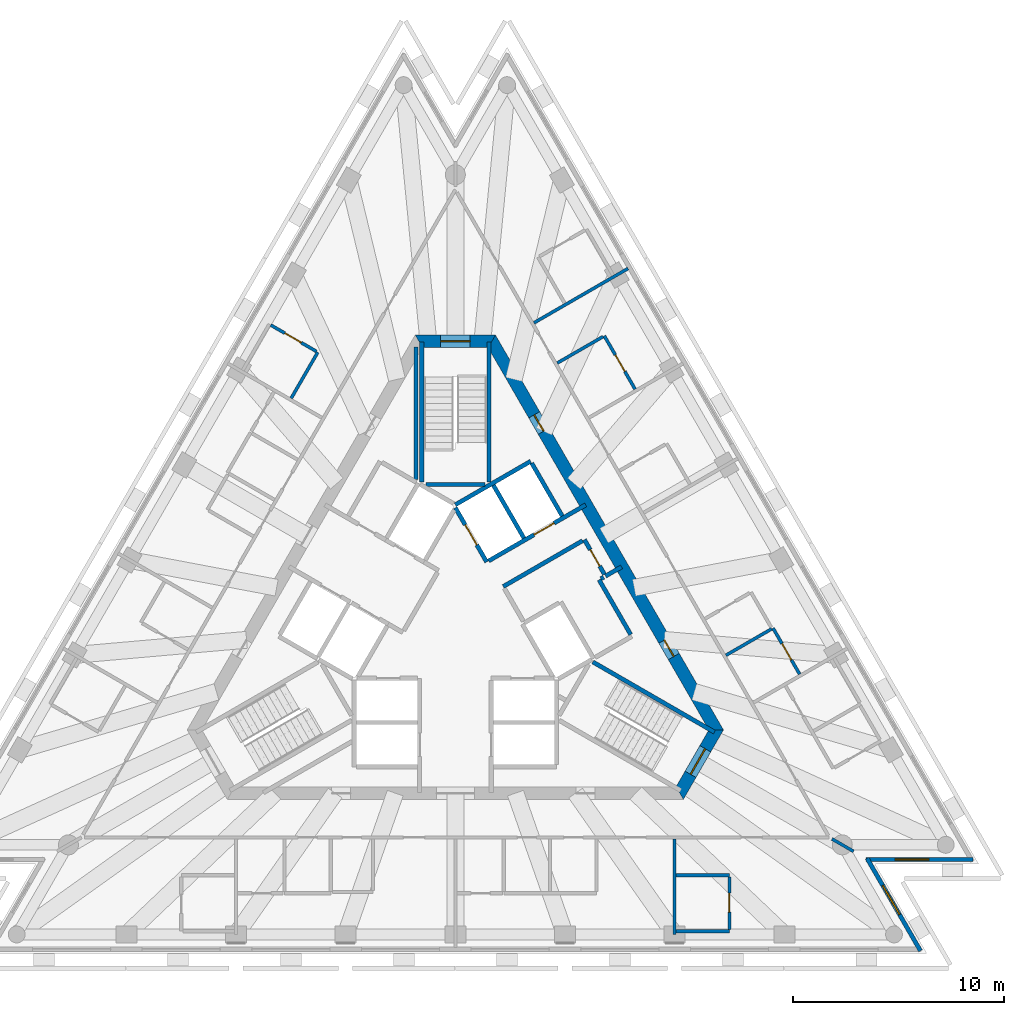
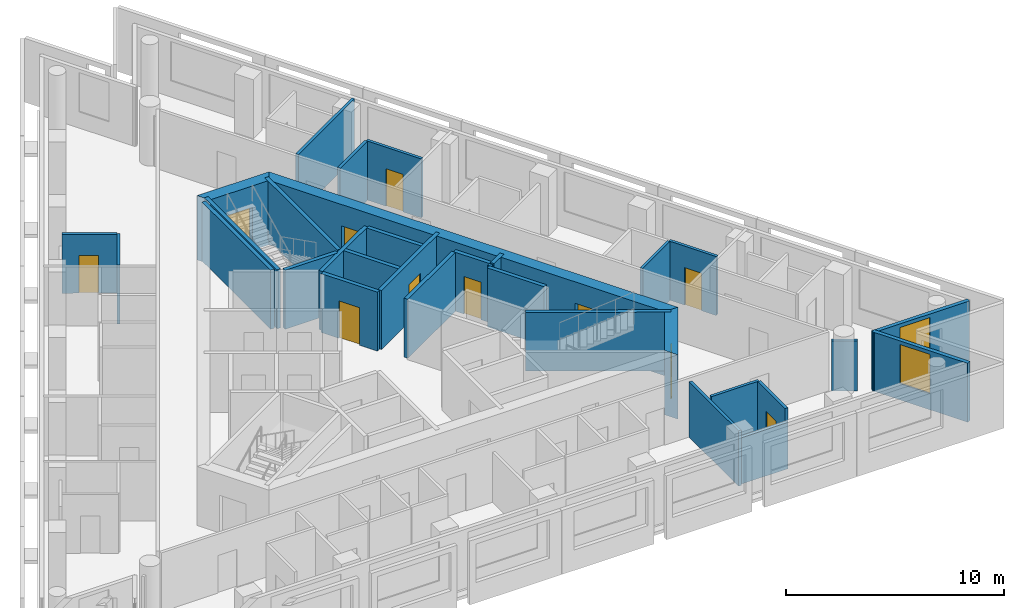
# One storey, part 6 of 10: 32 walls, 11 doors, 2 windows, 13 openings.
"""IFC4 building model written with IfcOpenShell, lengths in metres."""

from ifc_helpers import new_model, si_unit, direction, frame, frame_2d, origin, place, context, subcontext, project, spatial, polyline, rectangle, outline, extrude, material, layer, layer_set, layer_usage, type_object, element, fill, save


model = new_model("IFC4")

# Units and contexts
model_context = context("Model", 3, precision=1e-05, world=origin(), true_north=direction((0.0, 1.0)))
body_context = subcontext(model_context, "Body", "Model", "MODEL_VIEW")
ifc_project = project(units=[si_unit("LENGTHUNIT", "METRE"), si_unit("AREAUNIT", "SQUARE_METRE"), si_unit("VOLUMEUNIT", "CUBIC_METRE"), si_unit("PLANEANGLEUNIT", "RADIAN"), si_unit("MASSUNIT", "GRAM", prefix="KILO")], contexts=[model_context])

# Site, building, storey
site_placement = place(None, origin())
site = spatial("IfcSite", under=ifc_project, at=site_placement, CompositionType="ELEMENT")
building_placement = place(site_placement, origin())
building = spatial("IfcBuilding", under=site, at=building_placement, Name="Triada Interchange Tower", CompositionType="ELEMENT")
storey_placement = place(building_placement, frame((0.0, 0.0, 315.10009765625)))
storey = spatial("IfcBuildingStorey", under=building, at=storey_placement, Name="L75", CompositionType="ELEMENT", Elevation=315.10009765625)

# Wall
ifc_material_1 = material(Name="Concrete C30/37", Category="concrete")
ifc_layer_1 = layer(ifc_material_1, 0.199951171875)
ifc_layer_set_1 = layer_set([ifc_layer_1], Name="CORE WALL 200 EI 120")
wall_type_1 = type_object("IfcWallType", Name="CORE WALL 200 EI 120", PredefinedType="SOLIDWALL", material=ifc_layer_set_1)
wall_1_placement = place(storey_placement, frame((-0.001953125, 5.541015625, 0.0), z_axis=(0.0, 0.0, 1.0), x_axis=(0.86600155993, 0.500041296494, 0.0)))
element("IfcWall", 1, at=wall_1_placement, inside=storey, type_object=wall_type_1, Name="Wall L74 74", PredefinedType="SOLIDWALL", context=body_context, shape_type="SweptSolid", body=[
    extrude(rectangle(XDim=4.131591796875, YDim=0.199951171875, at=frame_2d((2.06591796875, 0.0))), origin(), (0.0, 0.0, 1.0), 3.2998046875),
])

# Wall, opening, door
wall_2_placement = place(storey_placement, frame((0.0, 5.39990234375, 0.0), z_axis=(0.0, 0.0, 1.0), x_axis=(0.500103862429, -0.865965430478, 0.0)))
wall_2 = element("IfcWall", 2, at=wall_2_placement, inside=storey, type_object=wall_type_1, Name="Wall L74 75", PredefinedType="SOLIDWALL", context=body_context, shape_type="SweptSolid", body=[
    extrude(rectangle(XDim=2.973388671875, YDim=0.199951171875, at=frame_2d((1.48681640625, 0.0))), origin(), (0.0, 0.0, 1.0), 3.2998046875),
])
opening_1_placement = place(wall_2_placement, frame((0.93701171875, 0.0, 0.0)))
opening_1 = element("IfcOpeningElement", 3, at=opening_1_placement, cuts=wall_2, Name="Opening LD-HR5", PredefinedType="OPENING", context=body_context, shape_type="SweptSolid", body=[
    extrude(rectangle(XDim=1.10009765625, YDim=2.10009765625, at=frame_2d((0.550048828125, 1.050048828125))), frame((0.0, 0.10986328125, 0.0), z_axis=(0.0, -1.0, 0.0), x_axis=(1.0, 0.0, 0.0)), (0.0, 0.0, 1.0), 0.219970703125),
])
ifc_material_2 = material(Name="Steel S235 door leaf", Category="steel")
door_type_1 = type_object("IfcDoorType", Name="LIFT LANDING DOOR 1100 EI 120", OperationType="SLIDING_TO_LEFT", PredefinedType="DOOR", material=ifc_material_2)
door_1_placement = place(opening_1_placement, origin())
door_1 = element("IfcDoor", 4, at=door_1_placement, inside=storey, type_object=door_type_1, Name="HR5 landing door L75", OperationType="SLIDING_TO_LEFT", OverallHeight=2.10009765625, OverallWidth=1.10009765625, PredefinedType="DOOR", context=body_context, shape_type="SweptSolid", body=[
    extrude(rectangle(XDim=1.10009765625, YDim=2.10009765625, at=frame_2d((0.550048828125, 1.050048828125))), frame((0.0, 0.02490234375, 0.0), z_axis=(0.0, -1.0, 0.0), x_axis=(1.0, 0.0, 0.0)), (0.0, 0.0, 1.0), 0.050048828125),
])
fill(opening_1, door_1)

wall_3_placement = place(storey_placement, frame((1.577880859375, 2.8740234375, 0.0), z_axis=(0.0, 0.0, 1.0), x_axis=(0.866045911672, 0.499964477614, 0.0)))
wall_3 = element("IfcWall", 5, at=wall_3_placement, inside=storey, type_object=wall_type_1, Name="Wall L74 77", PredefinedType="SOLIDWALL", context=body_context, shape_type="SweptSolid", body=[
    extrude(rectangle(XDim=5.32666015625, YDim=0.199951171875, at=frame_2d((2.663330078125, 0.0))), origin(), (0.0, 0.0, 1.0), 3.2998046875),
])
opening_2_placement = place(wall_3_placement, frame((2.49609375, 0.0, 0.0)))
opening_2 = element("IfcOpeningElement", 6, at=opening_2_placement, cuts=wall_3, Name="Opening LD-HR6", PredefinedType="OPENING", context=body_context, shape_type="SweptSolid", body=[
    extrude(rectangle(XDim=1.10009765625, YDim=2.10009765625, at=frame_2d((0.550048828125, 1.050048828125))), frame((0.0, 0.10986328125, 0.0), z_axis=(0.0, -1.0, 0.0), x_axis=(1.0, 0.0, 0.0)), (0.0, 0.0, 1.0), 0.219970703125),
])
door_2_placement = place(opening_2_placement, origin())
door_2 = element("IfcDoor", 7, at=door_2_placement, inside=storey, type_object=door_type_1, Name="HR6 landing door L75", OperationType="SLIDING_TO_LEFT", OverallHeight=2.10009765625, OverallWidth=1.10009765625, PredefinedType="DOOR", context=body_context, shape_type="SweptSolid", body=[
    extrude(rectangle(XDim=1.10009765625, YDim=2.10009765625, at=frame_2d((0.550048828125, 1.050048828125))), frame((0.0, 0.02490234375, 0.0), z_axis=(0.0, -1.0, 0.0), x_axis=(1.0, 0.0, 0.0)), (0.0, 0.0, 1.0), 0.050048828125),
])
fill(opening_2, door_2)

# Walls
for number, where, z_axis, x_axis, name in (
    (8, (3.6259765625, 7.52001953125, 0.0), (0.0, 0.0, 1.0), (0.500060147554, -0.865990674793, 0.0), "Wall L74 80"),
    (9, (1.806884765625, 6.469970703125, 0.0), (0.0, 0.0, 1.0), (0.50012328804, -0.865954211699, 0.0), "Wall L74 81"),
):
    element("IfcWall", number, at=place(storey_placement, frame(where, z_axis=z_axis, x_axis=x_axis)), inside=storey, type_object=wall_type_1, Name=name, PredefinedType="SOLIDWALL", context=body_context, shape_type="SweptSolid", body=[
        extrude(rectangle(XDim=2.899658203125, YDim=0.199951171875, at=frame_2d((1.44970703125, 0.0))), origin(), (0.0, 0.0, 1.0), 3.2998046875),
    ])
wall_4_placement = place(storey_placement, frame((7.12890625, 2.153076171875, 0.0), z_axis=(0.0, 0.0, 1.0), x_axis=(0.866083962871, 0.499898558967, 0.0)))
element("IfcWall", 10, at=wall_4_placement, inside=storey, type_object=wall_type_1, Name="Wall L74 84", PredefinedType="SOLIDWALL", context=body_context, shape_type="SweptSolid", body=[
    extrude(rectangle(XDim=0.880126953125, YDim=0.199951171875, at=frame_2d((0.43994140625, 0.0))), origin(), (0.0, 0.0, 1.0), 3.2998046875),
])

# Wall, opening, door
wall_5_placement = place(storey_placement, frame((6.12890625, 3.885009765625, 0.0), z_axis=(0.0, 0.0, 1.0), x_axis=(0.499952260202, -0.866052964615, 0.0)))
wall_5 = element("IfcWall", 11, at=wall_5_placement, inside=storey, type_object=wall_type_1, Name="Wall L74 85", PredefinedType="SOLIDWALL", context=body_context, shape_type="SweptSolid", body=[
    extrude(rectangle(XDim=1.900634765625, YDim=0.199951171875, at=frame_2d((0.9501953125, 0.0))), origin(), (0.0, 0.0, 1.0), 3.2998046875),
])
opening_3_placement = place(wall_5_placement, frame((0.550048828125, 0.0, 0.0)))
opening_3 = element("IfcOpeningElement", 12, at=opening_3_placement, cuts=wall_5, Name="Opening D74-56", PredefinedType="OPENING", context=body_context, shape_type="SweptSolid", body=[
    extrude(rectangle(XDim=0.89990234375, YDim=2.10009765625, at=frame_2d((0.449951171875, 1.050048828125))), frame((0.0, 0.10986328125, 0.0), z_axis=(0.0, -1.0, 0.0), x_axis=(1.0, 0.0, 0.0)), (0.0, 0.0, 1.0), 0.219970703125),
])
door_type_2 = type_object("IfcDoorType", Name="SERVICE DOOR 900 EI2 45-C5S200", OperationType="NOTDEFINED", PredefinedType="DOOR", material=ifc_material_2)
door_3_placement = place(opening_3_placement, origin())
door_3 = element("IfcDoor", 13, at=door_3_placement, inside=storey, type_object=door_type_2, Name="Door D74-56 L75", OperationType="SINGLE_SWING_LEFT", OverallHeight=2.10009765625, OverallWidth=0.89990234375, PredefinedType="DOOR", context=body_context, shape_type="SweptSolid", body=[
    extrude(rectangle(XDim=0.89990234375, YDim=2.10009765625, at=frame_2d((0.449951171875, 1.050048828125))), frame((0.0, 0.02490234375, 0.0), z_axis=(0.0, -1.0, 0.0), x_axis=(1.0, 0.0, 0.0)), (0.0, 0.0, 1.0), 0.050048828125),
])
fill(opening_3, door_3)

# Walls
wall_6_placement = place(storey_placement, frame((2.27490234375, 1.659912109375, 0.0), z_axis=(0.0, 0.0, 1.0), x_axis=(0.866013608182, 0.500020430026, 0.0)))
element("IfcWall", 14, at=wall_6_placement, inside=storey, type_object=wall_type_1, Name="Wall L74 86", PredefinedType="SOLIDWALL", context=body_context, shape_type="SweptSolid", body=[
    extrude(rectangle(XDim=4.349853515625, YDim=0.199951171875, at=frame_2d((2.1748046875, 0.0))), origin(), (0.0, 0.0, 1.0), 3.2998046875),
])
ifc_layer_2 = layer(ifc_material_1, 0.199951171875)
ifc_layer_set_2 = layer_set([ifc_layer_2], Name="CORE WALL 200 EI 90")
wall_type_2 = type_object("IfcWallType", Name="CORE WALL 200 EI 90", PredefinedType="SOLIDWALL", material=ifc_layer_set_2)
wall_7_placement = place(storey_placement, frame((-1.862060546875, 6.73291015625, 0.0), z_axis=(0.0, 0.0, 1.0), x_axis=(0.0, 1.0, 0.0)))
element("IfcWall", 15, at=wall_7_placement, inside=storey, type_object=wall_type_2, Name="Wall L74 105", PredefinedType="SOLIDWALL", context=body_context, shape_type="SweptSolid", body=[
    extrude(rectangle(XDim=6.301025390625, YDim=0.199951171875, at=frame_2d((3.150390625, 0.0))), origin(), (0.0, 0.0, 1.0), 3.2998046875),
])
wall_8_placement = place(storey_placement, frame((6.825927734375, 1.97802734375, 0.0), z_axis=(0.0, 0.0, 1.0), x_axis=(0.499990139034, -0.866031096941, 0.0)))
element("IfcWall", 16, at=wall_8_placement, inside=storey, type_object=wall_type_2, Name="Wall L74 108", PredefinedType="SOLIDWALL", context=body_context, shape_type="SweptSolid", body=[
    extrude(rectangle(XDim=3.0, YDim=0.199951171875, at=frame_2d((1.5, 0.0))), origin(), (0.0, 0.0, 1.0), 3.2998046875),
])
wall_9_placement = place(storey_placement, frame((6.912109375, 2.028076171875, 0.0), z_axis=(0.0, 0.0, 1.0), x_axis=(0.866559367082, 0.499074005857, 0.0)))
element("IfcWall", 17, at=wall_9_placement, inside=storey, type_object=wall_type_2, Name="Wall L74 109", PredefinedType="SOLIDWALL", context=body_context, shape_type="SweptSolid", body=[
    extrude(rectangle(XDim=0.152099609375, YDim=0.199951171875, at=frame_2d((0.076171875, 0.0))), origin(), (0.0, 0.0, 1.0), 3.2998046875),
])
ifc_layer_3 = layer(ifc_material_1, 0.199951171875)
ifc_layer_set_3 = layer_set([ifc_layer_3], Name="CORE WALL 200 REI 240")
wall_type_3 = type_object("IfcWallType", Name="CORE WALL 200 REI 240", PredefinedType="SOLIDWALL", material=ifc_layer_set_3)
wall_10_placement = place(storey_placement, frame((1.60009765625, 6.614990234375, 0.0), z_axis=(0.0, 0.0, 1.0), x_axis=(0.0, 1.0, 0.0)))
element("IfcWall", 18, at=wall_10_placement, inside=storey, type_object=wall_type_3, Name="Wall L74 113", PredefinedType="SOLIDWALL", context=body_context, shape_type="SweptSolid", body=[
    extrude(rectangle(XDim=6.6650390625, YDim=0.199951171875, at=frame_2d((3.33251953125, 0.0))), origin(), (0.0, 0.0, 1.0), 3.2998046875),
])
wall_11_placement = place(storey_placement, frame((-1.39990234375, 6.5, 0.0), z_axis=(0.0, 0.0, 1.0), x_axis=(1.0, 0.0, 0.0)))
element("IfcWall", 19, at=wall_11_placement, inside=storey, type_object=wall_type_3, Name="Wall L74 114", PredefinedType="SOLIDWALL", context=body_context, shape_type="SweptSolid", body=[
    extrude(rectangle(XDim=2.7998046875, YDim=0.199951171875, at=frame_2d((1.39990234375, 0.0))), origin(), (0.0, 0.0, 1.0), 3.2998046875),
])
wall_12_placement = place(storey_placement, frame((-1.60009765625, 6.614990234375, 0.0), z_axis=(0.0, 0.0, 1.0), x_axis=(0.0, 1.0, 0.0)))
element("IfcWall", 20, at=wall_12_placement, inside=storey, type_object=wall_type_3, Name="Wall L74 115", PredefinedType="SOLIDWALL", context=body_context, shape_type="SweptSolid", body=[
    extrude(rectangle(XDim=6.6650390625, YDim=0.199951171875, at=frame_2d((3.33251953125, 0.0))), origin(), (0.0, 0.0, 1.0), 3.2998046875),
])
wall_13_placement = place(storey_placement, frame((6.529052734375, -1.922119140625, 0.0), z_axis=(0.0, 0.0, 1.0), x_axis=(0.866068467981, -0.499925403204, 0.0)))
element("IfcWall", 21, at=wall_13_placement, inside=storey, type_object=wall_type_3, Name="Wall L74 117", PredefinedType="SOLIDWALL", context=body_context, shape_type="SweptSolid", body=[
    extrude(rectangle(XDim=6.66455078125, YDim=0.199951171875, at=frame_2d((3.332275390625, 0.0))), origin(), (0.0, 0.0, 1.0), 3.2998046875),
])

# Wall, opening, door
ifc_material_3 = material(Name="Concrete C40/50", Category="concrete")
ifc_layer_4 = layer(ifc_material_3, 0.60009765625)
ifc_layer_set_4 = layer_set([ifc_layer_4], Name="Core wall D 600")
wall_type_4 = type_object("IfcWallType", Name="Core wall D 600", PredefinedType="SHEAR", material=ifc_layer_set_4)
wall_14_placement = place(storey_placement, frame((1.73193359375, 13.300048828125, -0.300048828125), z_axis=(0.0, 0.0, 1.0), x_axis=(-1.0, 0.0, 0.0)))
wall_14 = element("IfcWall", 22, at=wall_14_placement, inside=storey, type_object=wall_type_4, Name="Core wall WD01 L75", PredefinedType="SHEAR", context=body_context, shape_type="SweptSolid", body=[
    extrude(outline(polyline([(-0.173095703125, -0.300048828125), (1.73193359375, -0.300048828125), (3.636962890625, -0.300048828125), (3.291015625, 0.300048828125), (1.73193359375, 0.300048828125), (0.173095703125, 0.300048828125), (-0.173095703125, -0.300048828125)])), origin(), (0.0, 0.0, 1.0), 3.599853515625),
])
opening_4_placement = place(wall_14_placement, frame((1.031982421875, 0.0, 0.300048828125)))
opening_4 = element("IfcOpeningElement", 23, at=opening_4_placement, cuts=wall_14, Name="Opening D74-46", PredefinedType="OPENING", context=body_context, shape_type="SweptSolid", body=[
    extrude(rectangle(XDim=1.39990234375, YDim=2.10009765625, at=frame_2d((0.699951171875, 1.050048828125))), frame((0.0, 0.31005859375, 0.0), z_axis=(0.0, -1.0, 0.0), x_axis=(1.0, 0.0, 0.0)), (0.0, 0.0, 1.0), 0.6201171875),
])
door_type_3 = type_object("IfcDoorType", Name="STAIR DOOR 1400 EI2 90-C5S200", OperationType="DOUBLE_DOOR_SINGLE_SWING", PredefinedType="DOOR", material=ifc_material_2)
door_4_placement = place(opening_4_placement, origin())
door_4 = element("IfcDoor", 24, at=door_4_placement, inside=storey, type_object=door_type_3, Name="Door D74-46 L75", OperationType="DOUBLE_DOOR_SINGLE_SWING", OverallHeight=2.10009765625, OverallWidth=1.39990234375, PredefinedType="DOOR", context=body_context, shape_type="SweptSolid", body=[
    extrude(rectangle(XDim=1.39990234375, YDim=2.10009765625, at=frame_2d((0.699951171875, 1.050048828125))), frame((0.0, 0.02490234375, 0.0), z_axis=(0.0, -1.0, 0.0), x_axis=(1.0, 0.0, 0.0)), (0.0, 0.0, 1.0), 0.050048828125),
])
fill(opening_4, door_4)

wall_15_placement = place(storey_placement, frame((10.652099609375, -8.14990234375, -0.300048828125), z_axis=(0.0, 0.0, 1.0), x_axis=(0.49997462182, 0.866040055388, 0.0)))
wall_15 = element("IfcWall", 25, at=wall_15_placement, inside=storey, type_object=wall_type_4, Name="Core wall WD05 L75", PredefinedType="SHEAR", context=body_context, shape_type="SweptSolid", body=[
    extrude(outline(polyline([(-0.173095703125, -0.300048828125), (1.732421875, -0.300537109375), (3.637939453125, -0.301025390625), (3.291015625, 0.300048828125), (1.73193359375, 0.300048828125), (0.173095703125, 0.300048828125), (-0.173095703125, -0.300048828125)])), origin(), (0.0, 0.0, 1.0), 3.599853515625),
])
opening_5_placement = place(wall_15_placement, frame((1.031982421875, 0.0, 0.300048828125)))
opening_5 = element("IfcOpeningElement", 26, at=opening_5_placement, cuts=wall_15, Name="Opening D74-48", PredefinedType="OPENING", context=body_context, shape_type="SweptSolid", body=[
    extrude(rectangle(XDim=1.39990234375, YDim=2.10009765625, at=frame_2d((0.699951171875, 1.050048828125))), frame((0.0, 0.31005859375, 0.0), z_axis=(0.0, -1.0, 0.0), x_axis=(1.0, 0.0, 0.0)), (0.0, 0.0, 1.0), 0.62109375),
])
door_5_placement = place(opening_5_placement, origin())
door_5 = element("IfcDoor", 27, at=door_5_placement, inside=storey, type_object=door_type_3, Name="Door D74-48 L75", OperationType="DOUBLE_DOOR_SINGLE_SWING", OverallHeight=2.10009765625, OverallWidth=1.39990234375, PredefinedType="DOOR", context=body_context, shape_type="SweptSolid", body=[
    extrude(rectangle(XDim=1.39990234375, YDim=2.10009765625, at=frame_2d((0.699951171875, 1.050048828125))), frame((0.0, 0.02490234375, 0.0), z_axis=(0.0, -1.0, 0.0), x_axis=(1.0, 0.0, 0.0)), (0.0, 0.0, 1.0), 0.050048828125),
])
fill(opening_5, door_5)

# Wall, openings, doors
wall_16_placement = place(storey_placement, frame((12.384033203125, -5.14990234375, -0.300048828125), z_axis=(0.0, 0.0, 1.0), x_axis=(-0.500000539815, 0.866025092122, 0.0)))
wall_16 = element("IfcWall", 28, at=wall_16_placement, inside=storey, type_object=wall_type_4, Name="Core wall WD06 L75", PredefinedType="SHEAR", context=body_context, shape_type="SweptSolid", body=[
    extrude(outline(polyline([(-0.173095703125, -0.301025390625), (1.795166015625, -0.301025390625), (3.76318359375, -0.30078125), (5.7314453125, -0.30078125), (7.69970703125, -0.30078125), (9.66796875, -0.300537109375), (11.635986328125, -0.300537109375), (13.604248046875, -0.30029296875), (15.572509765625, -0.30029296875), (17.540771484375, -0.30029296875), (19.5087890625, -0.300048828125), (21.47705078125, -0.300048828125), (21.131103515625, 0.300048828125), (19.225830078125, 0.300048828125), (17.320556640625, 0.300048828125), (15.415283203125, 0.300048828125), (13.510009765625, 0.300048828125), (11.604736328125, 0.300048828125), (9.699462890625, 0.300048828125), (7.794189453125, 0.300048828125), (5.888916015625, 0.300048828125), (3.983642578125, 0.300048828125), (2.078369140625, 0.300048828125), (0.173095703125, 0.300048828125), (-0.173095703125, -0.301025390625)])), origin(), (0.0, 0.0, 1.0), 3.599853515625),
])
opening_6_placement = place(wall_16_placement, frame((16.3779296875, 0.0, 0.300048828125)))
opening_6 = element("IfcOpeningElement", 29, at=opening_6_placement, cuts=wall_16, Name="Opening D74-53", PredefinedType="OPENING", context=body_context, shape_type="SweptSolid", body=[
    extrude(rectangle(XDim=0.89990234375, YDim=2.10009765625, at=frame_2d((0.449951171875, 1.050048828125))), frame((0.0, 0.31005859375, 0.0), z_axis=(0.0, -1.0, 0.0), x_axis=(1.0, 0.0, 0.0)), (0.0, 0.0, 1.0), 0.62109375),
])
opening_7_placement = place(wall_16_placement, frame((4.02587890625, 0.0, 0.300048828125)))
opening_7 = element("IfcOpeningElement", 30, at=opening_7_placement, cuts=wall_16, Name="Opening D74-55", PredefinedType="OPENING", context=body_context, shape_type="SweptSolid", body=[
    extrude(rectangle(XDim=0.89990234375, YDim=2.10009765625, at=frame_2d((0.449951171875, 1.050048828125))), frame((0.0, 0.31005859375, 0.0), z_axis=(0.0, -1.0, 0.0), x_axis=(1.0, 0.0, 0.0)), (0.0, 0.0, 1.0), 0.62109375),
])
door_6_placement = place(opening_6_placement, origin())
door_6 = element("IfcDoor", 31, at=door_6_placement, inside=storey, type_object=door_type_2, Name="Door D74-53 L75", OperationType="SINGLE_SWING_RIGHT", OverallHeight=2.10009765625, OverallWidth=0.89990234375, PredefinedType="DOOR", context=body_context, shape_type="SweptSolid", body=[
    extrude(rectangle(XDim=0.89990234375, YDim=2.10009765625, at=frame_2d((0.449951171875, 1.050048828125))), frame((0.0, 0.02490234375, 0.0), z_axis=(0.0, -1.0, 0.0), x_axis=(1.0, 0.0, 0.0)), (0.0, 0.0, 1.0), 0.050048828125),
])
fill(opening_6, door_6)
door_7_placement = place(opening_7_placement, origin())
door_7 = element("IfcDoor", 32, at=door_7_placement, inside=storey, type_object=door_type_2, Name="Door D74-55 L75", OperationType="SINGLE_SWING_RIGHT", OverallHeight=2.10009765625, OverallWidth=0.89990234375, PredefinedType="DOOR", context=body_context, shape_type="SweptSolid", body=[
    extrude(rectangle(XDim=0.89990234375, YDim=2.10009765625, at=frame_2d((0.449951171875, 1.050048828125))), frame((0.0, 0.02490234375, 0.0), z_axis=(0.0, -1.0, 0.0), x_axis=(1.0, 0.0, 0.0)), (0.0, 0.0, 1.0), 0.050048828125),
])
fill(opening_7, door_7)

# Wall, opening, window
ifc_material_4 = material(Name="Cement board")
ifc_layer_5 = layer(ifc_material_4, 0.02001953125, Name="Cement board cladding")
ifc_material_5 = material(Name="Sheathing board")
ifc_layer_6 = layer(ifc_material_5, 0.014892578125, Name="Sheathing board")
ifc_material_6 = material(Name="Mineral wool")
ifc_layer_7 = layer(ifc_material_6, 0.14990234375, Name="Mineral wool between steel studs")
ifc_material_7 = material(Name="Gypsum board")
ifc_layer_8 = layer(ifc_material_7, 0.014892578125, Name="Plasterboard lining")
ifc_layer_set_5 = layer_set([ifc_layer_5, ifc_layer_6, ifc_layer_7, ifc_layer_8], Name="External wall 200")
ifc_layer_usage = layer_usage(ifc_layer_set_5, "AXIS2", "POSITIVE", -0.10009765625)
wall_type_5 = type_object("IfcWallType", Name="External wall 200", PredefinedType="ELEMENTEDWALL", material=ifc_layer_set_5)
wall_17_placement = place(storey_placement, frame((22.0869140625, -15.64111328125, 0.0), z_axis=(0.0, 0.0, 1.0), x_axis=(-0.499911250765, 0.866076637116, 0.0)))
wall_17 = element("IfcWall", 33, at=wall_17_placement, inside=storey, type_object=wall_type_5, material=ifc_layer_usage, Name="External wall L75 SE-1", PredefinedType="ELEMENTEDWALL", context=body_context, shape_type="SweptSolid", body=[
    extrude(rectangle(XDim=5.07470703125, YDim=0.199951171875, at=frame_2d((2.537353515625, 0.0))), origin(), (0.0, 0.0, 1.0), 3.2998046875),
])
opening_8_placement = place(wall_17_placement, frame((1.989990234375, 0.0, 0.89990234375)))
opening_8 = element("IfcOpeningElement", 34, at=opening_8_placement, cuts=wall_17, Name="Opening WD19", PredefinedType="OPENING", context=body_context, shape_type="SweptSolid", body=[
    extrude(rectangle(XDim=1.60009765625, YDim=2.199951171875, at=frame_2d((0.800048828125, 1.10009765625))), frame((0.0, 0.10986328125, 0.0), z_axis=(0.0, -1.0, 0.0), x_axis=(1.0, 0.0, 0.0)), (0.0, 0.0, 1.0), 0.219970703125),
])
ifc_material_8 = material(Name="Double glazed aluminium window", Category="aluminium")
window_type = type_object("IfcWindowType", Name="Ribbon window D pocket", PartitioningType="SINGLE_PANEL", PredefinedType="WINDOW", material=ifc_material_8)
window_1_placement = place(opening_8_placement, origin())
window_1 = element("IfcWindow", 35, at=window_1_placement, inside=storey, type_object=window_type, Name="Window L75 SE-1 1", OverallHeight=2.199951171875, OverallWidth=1.60009765625, PartitioningType="SINGLE_PANEL", PredefinedType="WINDOW", context=body_context, shape_type="SweptSolid", body=[
    extrude(rectangle(XDim=1.60009765625, YDim=2.199951171875, at=frame_2d((0.800048828125, 1.10009765625))), frame((0.0, 0.030029296875, 0.0), z_axis=(0.0, -1.0, 0.0), x_axis=(1.0, 0.0, 0.0)), (0.0, 0.0, 1.0), 0.06005859375),
])
fill(opening_8, window_1)

wall_18_placement = place(storey_placement, frame((19.4951171875, -11.306884765625, 0.0), z_axis=(0.0, 0.0, 1.0), x_axis=(1.0, 0.0, 0.0)))
wall_18 = element("IfcWall", 36, at=wall_18_placement, inside=storey, type_object=wall_type_5, material=ifc_layer_usage, Name="External wall L75 SE-2", PredefinedType="ELEMENTEDWALL", context=body_context, shape_type="SweptSolid", body=[
    extrude(rectangle(XDim=5.073974609375, YDim=0.199951171875, at=frame_2d((2.537109375, 0.0))), origin(), (0.0, 0.0, 1.0), 3.2998046875),
])
opening_9_placement = place(wall_18_placement, frame((1.389892578125, 0.0, 0.89990234375)))
opening_9 = element("IfcOpeningElement", 37, at=opening_9_placement, cuts=wall_18, Name="Opening WD20", PredefinedType="OPENING", context=body_context, shape_type="SweptSolid", body=[
    extrude(rectangle(XDim=1.60009765625, YDim=2.199951171875, at=frame_2d((0.800048828125, 1.10009765625))), frame((0.0, 0.10986328125, 0.0), z_axis=(0.0, -1.0, 0.0), x_axis=(1.0, 0.0, 0.0)), (0.0, 0.0, 1.0), 0.219970703125),
])
window_2_placement = place(opening_9_placement, origin())
window_2 = element("IfcWindow", 38, at=window_2_placement, inside=storey, type_object=window_type, Name="Window L75 SE-2 1", OverallHeight=2.199951171875, OverallWidth=1.60009765625, PartitioningType="SINGLE_PANEL", PredefinedType="WINDOW", context=body_context, shape_type="SweptSolid", body=[
    extrude(rectangle(XDim=1.60009765625, YDim=2.199951171875, at=frame_2d((0.800048828125, 1.10009765625))), frame((0.0, 0.030029296875, 0.0), z_axis=(0.0, -1.0, 0.0), x_axis=(1.0, 0.0, 0.0)), (0.0, 0.0, 1.0), 0.06005859375),
])
fill(opening_9, window_2)

# Walls
ifc_material_9 = material(Name="Gypsum board partition")
ifc_layer_9 = layer(ifc_material_9, 0.14990234375)
ifc_layer_set_6 = layer_set([ifc_layer_9], Name="PARTITION 150 EI 180")
wall_type_6 = type_object("IfcWallType", Name="PARTITION 150 EI 180", PredefinedType="PARTITIONING", material=ifc_layer_set_6)
wall_19_placement = place(storey_placement, frame((3.73388671875, 14.181884765625, 0.0), z_axis=(0.0, 0.0, 1.0), x_axis=(0.866020851292, 0.500007885066, 0.0)))
element("IfcWall", 39, at=wall_19_placement, inside=storey, type_object=wall_type_6, Name="Wall L74 24", PredefinedType="PARTITIONING", context=body_context, shape_type="SweptSolid", body=[
    extrude(rectangle(XDim=5.158203125, YDim=0.14990234375, at=frame_2d((2.5791015625, 0.0))), origin(), (0.0, 0.0, 1.0), 3.2998046875),
])
wall_20_placement = place(storey_placement, frame((10.4140625, -14.85791015625, 0.0), z_axis=(0.0, 0.0, 1.0), x_axis=(0.0, 1.0, 0.0)))
element("IfcWall", 40, at=wall_20_placement, inside=storey, type_object=wall_type_6, Name="Wall L74 28", PredefinedType="PARTITIONING", context=body_context, shape_type="SweptSolid", body=[
    extrude(rectangle(XDim=4.532958984375, YDim=0.14990234375, at=frame_2d((2.2666015625, 0.0))), origin(), (0.0, 0.0, 1.0), 3.099853515625),
])
wall_21_placement = place(storey_placement, frame((17.883056640625, -10.323974609375, 0.0), z_axis=(0.0, 0.0, 1.0), x_axis=(0.865759938798, -0.500459517216, 0.0)))
element("IfcWall", 41, at=wall_21_placement, inside=storey, type_object=wall_type_6, Name="Wall L74 30", PredefinedType="PARTITIONING", context=body_context, shape_type="SweptSolid", body=[
    extrude(rectangle(XDim=1.18505859375, YDim=0.14990234375, at=frame_2d((0.592529296875, 0.0))), origin(), (0.0, 0.0, 1.0), 2.7998046875),
])
ifc_layer_10 = layer(ifc_material_9, 0.14990234375)
ifc_layer_set_7 = layer_set([ifc_layer_10], Name="PARTITION 150 EI 90")
wall_type_7 = type_object("IfcWallType", Name="PARTITION 150 EI 90", PredefinedType="PARTITIONING", material=ifc_layer_set_7)
wall_22_placement = place(storey_placement, frame((-7.794921875, 10.60009765625, 0.0), z_axis=(0.0, 0.0, 1.0), x_axis=(0.50028887667, 0.865858556509, 0.0)))
element("IfcWall", 42, at=wall_22_placement, inside=storey, type_object=wall_type_7, Name="Wall L74 35", PredefinedType="PARTITIONING", context=body_context, shape_type="SweptSolid", body=[
    extrude(rectangle(XDim=2.5244140625, YDim=0.14990234375, at=frame_2d((1.26220703125, 0.0))), origin(), (0.0, 0.0, 1.0), 3.2998046875),
])
wall_23_placement = place(storey_placement, frame((10.489013671875, -12.050048828125, 0.0), z_axis=(0.0, 0.0, 1.0), x_axis=(1.0, 0.0, 0.0)))
element("IfcWall", 43, at=wall_23_placement, inside=storey, type_object=wall_type_7, Name="Wall L74 40", PredefinedType="PARTITIONING", context=body_context, shape_type="SweptSolid", body=[
    extrude(rectangle(XDim=2.52490234375, YDim=0.14990234375, at=frame_2d((1.262451171875, 0.0))), origin(), (0.0, 0.0, 1.0), 3.2998046875),
])
wall_24_placement = place(storey_placement, frame((10.489013671875, -14.7060546875, 0.0), z_axis=(0.0, 0.0, 1.0), x_axis=(1.0, 0.0, 0.0)))
element("IfcWall", 44, at=wall_24_placement, inside=storey, type_object=wall_type_7, Name="Wall L74 43", PredefinedType="PARTITIONING", context=body_context, shape_type="SweptSolid", body=[
    extrude(rectangle(XDim=2.52490234375, YDim=0.14990234375, at=frame_2d((1.262451171875, 0.0))), origin(), (0.0, 0.0, 1.0), 2.599853515625),
])

# Wall, opening, door
wall_25_placement = place(storey_placement, frame((-8.76806640625, 14.076904296875, 0.0), z_axis=(0.0, 0.0, 1.0), x_axis=(0.866125586781, -0.4998264378, 0.0)))
wall_25 = element("IfcWall", 45, at=wall_25_placement, inside=storey, type_object=wall_type_7, Name="Wall L74 46", PredefinedType="PARTITIONING", context=body_context, shape_type="SweptSolid", body=[
    extrude(rectangle(XDim=2.5068359375, YDim=0.14990234375, at=frame_2d((1.25341796875, 0.0))), origin(), (0.0, 0.0, 1.0), 3.2998046875),
])
opening_10_placement = place(wall_25_placement, frame((0.77490234375, 0.0, 0.0)))
opening_10 = element("IfcOpeningElement", 46, at=opening_10_placement, cuts=wall_25, Name="Opening D74-36", PredefinedType="OPENING", context=body_context, shape_type="SweptSolid", body=[
    extrude(rectangle(XDim=0.89990234375, YDim=2.10009765625, at=frame_2d((0.449951171875, 1.050048828125))), frame((0.0, 0.0849609375, 0.0), z_axis=(0.0, -1.0, 0.0), x_axis=(1.0, 0.0, 0.0)), (0.0, 0.0, 1.0), 0.169921875),
])
door_type_4 = type_object("IfcDoorType", Name="ROOM DOOR 900 EI2 45-C5S200", OperationType="NOTDEFINED", PredefinedType="DOOR", material=ifc_material_2)
door_8_placement = place(opening_10_placement, origin())
door_8 = element("IfcDoor", 47, at=door_8_placement, inside=storey, type_object=door_type_4, Name="Door D74-36 L75", OperationType="SINGLE_SWING_RIGHT", OverallHeight=2.10009765625, OverallWidth=0.89990234375, PredefinedType="DOOR", context=body_context, shape_type="SweptSolid", body=[
    extrude(rectangle(XDim=0.89990234375, YDim=2.10009765625, at=frame_2d((0.449951171875, 1.050048828125))), frame((0.0, 0.02490234375, 0.0), z_axis=(0.0, -1.0, 0.0), x_axis=(1.0, 0.0, 0.0)), (0.0, 0.0, 1.0), 0.050048828125),
])
fill(opening_10, door_8)

wall_26_placement = place(storey_placement, frame((7.073974609375, 13.56103515625, 0.0), z_axis=(0.0, 0.0, 1.0), x_axis=(0.499874209568, -0.866098016745, 0.0)))
wall_26 = element("IfcWall", 48, at=wall_26_placement, inside=storey, type_object=wall_type_7, Name="Wall L74 47", PredefinedType="PARTITIONING", context=body_context, shape_type="SweptSolid", body=[
    extrude(rectangle(XDim=2.924560546875, YDim=0.14990234375, at=frame_2d((1.46240234375, 0.0))), origin(), (0.0, 0.0, 1.0), 3.2998046875),
])
opening_11_placement = place(wall_26_placement, frame((1.050048828125, 0.0, 0.0)))
opening_11 = element("IfcOpeningElement", 49, at=opening_11_placement, cuts=wall_26, Name="Opening D74-32", PredefinedType="OPENING", context=body_context, shape_type="SweptSolid", body=[
    extrude(rectangle(XDim=0.89990234375, YDim=2.10009765625, at=frame_2d((0.449951171875, 1.050048828125))), frame((0.0, 0.0849609375, 0.0), z_axis=(0.0, -1.0, 0.0), x_axis=(1.0, 0.0, 0.0)), (0.0, 0.0, 1.0), 0.169921875),
])
door_9_placement = place(opening_11_placement, origin())
door_9 = element("IfcDoor", 50, at=door_9_placement, inside=storey, type_object=door_type_4, Name="Door D74-32 L75", OperationType="SINGLE_SWING_LEFT", OverallHeight=2.10009765625, OverallWidth=0.89990234375, PredefinedType="DOOR", context=body_context, shape_type="SweptSolid", body=[
    extrude(rectangle(XDim=0.89990234375, YDim=2.10009765625, at=frame_2d((0.449951171875, 1.050048828125))), frame((0.0, 0.02490234375, 0.0), z_axis=(0.0, -1.0, 0.0), x_axis=(1.0, 0.0, 0.0)), (0.0, 0.0, 1.0), 0.050048828125),
])
fill(opening_11, door_9)

wall_27_placement = place(storey_placement, frame((15.0849609375, -0.31494140625, 0.0), z_axis=(0.0, 0.0, 1.0), x_axis=(0.499956887143, -0.866050293573, 0.0)))
wall_27 = element("IfcWall", 51, at=wall_27_placement, inside=storey, type_object=wall_type_7, Name="Wall L74 49", PredefinedType="PARTITIONING", context=body_context, shape_type="SweptSolid", body=[
    extrude(rectangle(XDim=2.524169921875, YDim=0.14990234375, at=frame_2d((1.26220703125, 0.0))), origin(), (0.0, 0.0, 1.0), 3.2998046875),
])
opening_12_placement = place(wall_27_placement, frame((0.84912109375, 0.0, 0.0)))
opening_12 = element("IfcOpeningElement", 52, at=opening_12_placement, cuts=wall_27, Name="Opening D74-27", PredefinedType="OPENING", context=body_context, shape_type="SweptSolid", body=[
    extrude(rectangle(XDim=0.89990234375, YDim=2.10009765625, at=frame_2d((0.449951171875, 1.050048828125))), frame((0.0, 0.0849609375, 0.0), z_axis=(0.0, -1.0, 0.0), x_axis=(1.0, 0.0, 0.0)), (0.0, 0.0, 1.0), 0.169921875),
])
door_10_placement = place(opening_12_placement, origin())
door_10 = element("IfcDoor", 53, at=door_10_placement, inside=storey, type_object=door_type_4, Name="Door D74-27 L75", OperationType="SINGLE_SWING_LEFT", OverallHeight=2.10009765625, OverallWidth=0.89990234375, PredefinedType="DOOR", context=body_context, shape_type="SweptSolid", body=[
    extrude(rectangle(XDim=0.89990234375, YDim=2.10009765625, at=frame_2d((0.449951171875, 1.050048828125))), frame((0.0, 0.02490234375, 0.0), z_axis=(0.0, -1.0, 0.0), x_axis=(1.0, 0.0, 0.0)), (0.0, 0.0, 1.0), 0.050048828125),
])
fill(opening_12, door_10)

# Wall
wall_28_placement = place(storey_placement, frame((4.837890625, 12.27001953125, 0.0), z_axis=(0.0, 0.0, 1.0), x_axis=(0.866125586781, 0.4998264378, 0.0)))
element("IfcWall", 54, at=wall_28_placement, inside=storey, type_object=wall_type_7, Name="Wall L74 50", PredefinedType="PARTITIONING", context=body_context, shape_type="SweptSolid", body=[
    extrude(rectangle(XDim=2.5068359375, YDim=0.14990234375, at=frame_2d((1.25341796875, 0.0))), origin(), (0.0, 0.0, 1.0), 3.2998046875),
])

# Wall, opening, door
wall_29_placement = place(storey_placement, frame((13.013916015625, -14.632080078125, 0.0), z_axis=(0.0, 0.0, 1.0), x_axis=(0.0, 1.0, 0.0)))
wall_29 = element("IfcWall", 55, at=wall_29_placement, inside=storey, type_object=wall_type_7, Name="Wall L74 52", PredefinedType="PARTITIONING", context=body_context, shape_type="SweptSolid", body=[
    extrude(rectangle(XDim=2.507080078125, YDim=0.14990234375, at=frame_2d((1.25341796875, 0.0))), origin(), (0.0, 0.0, 1.0), 3.2998046875),
])
opening_13_placement = place(wall_29_placement, frame((0.83203125, 0.0, 0.0)))
opening_13 = element("IfcOpeningElement", 56, at=opening_13_placement, cuts=wall_29, Name="Opening D74-22", PredefinedType="OPENING", context=body_context, shape_type="SweptSolid", body=[
    extrude(rectangle(XDim=0.89990234375, YDim=2.10009765625, at=frame_2d((0.449951171875, 1.050048828125))), frame((0.0, 0.0849609375, 0.0), z_axis=(0.0, -1.0, 0.0), x_axis=(1.0, 0.0, 0.0)), (0.0, 0.0, 1.0), 0.169921875),
])
door_11_placement = place(opening_13_placement, origin())
door_11 = element("IfcDoor", 57, at=door_11_placement, inside=storey, type_object=door_type_4, Name="Door D74-22 L75", OperationType="SINGLE_SWING_LEFT", OverallHeight=2.10009765625, OverallWidth=0.89990234375, PredefinedType="DOOR", context=body_context, shape_type="SweptSolid", body=[
    extrude(rectangle(XDim=0.89990234375, YDim=2.10009765625, at=frame_2d((0.449951171875, 1.050048828125))), frame((0.0, 0.02490234375, 0.0), z_axis=(0.0, -1.0, 0.0), x_axis=(1.0, 0.0, 0.0)), (0.0, 0.0, 1.0), 0.050048828125),
])
fill(opening_13, door_11)

# Wall
wall_30_placement = place(storey_placement, frame((12.84912109375, -1.60498046875, 0.0), z_axis=(0.0, 0.0, 1.0), x_axis=(0.866101252082, 0.499868603878, 0.0)))
element("IfcWall", 58, at=wall_30_placement, inside=storey, type_object=wall_type_7, Name="Wall L74 55", PredefinedType="PARTITIONING", context=body_context, shape_type="SweptSolid", body=[
    extrude(rectangle(XDim=2.506591796875, YDim=0.14990234375, at=frame_2d((1.25341796875, 0.0))), origin(), (0.0, 0.0, 1.0), 3.2998046875),
])

save(model, "model.ifc")
